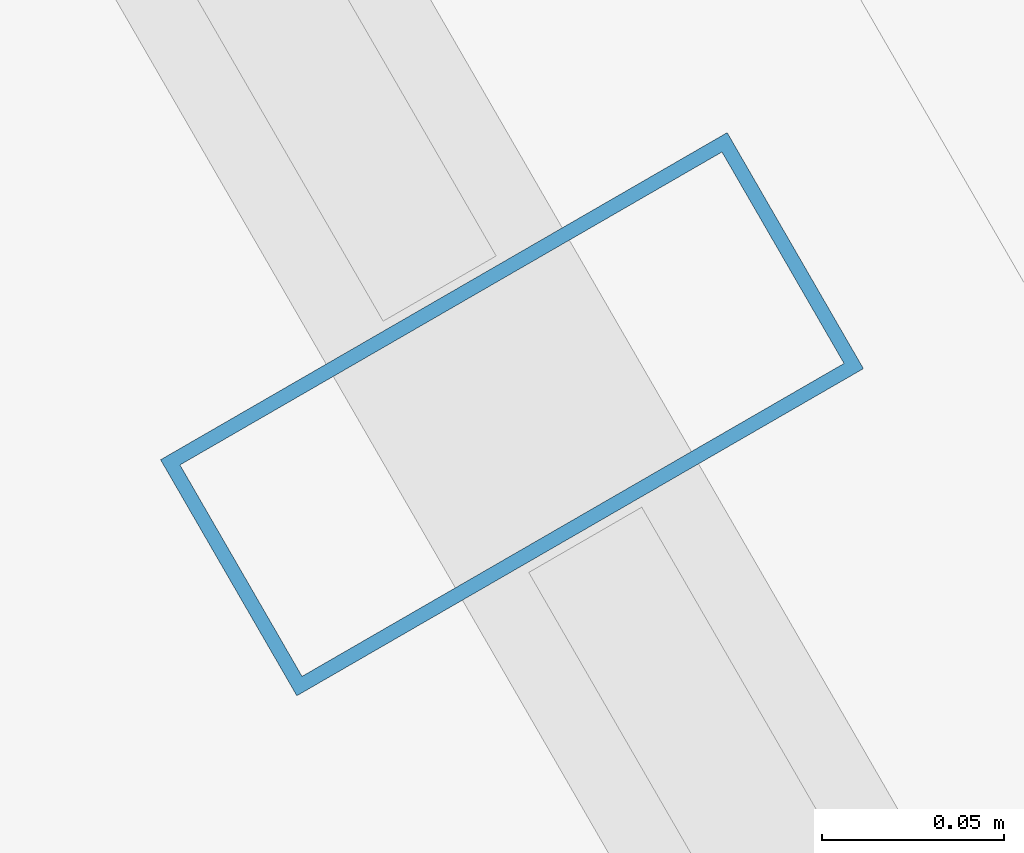
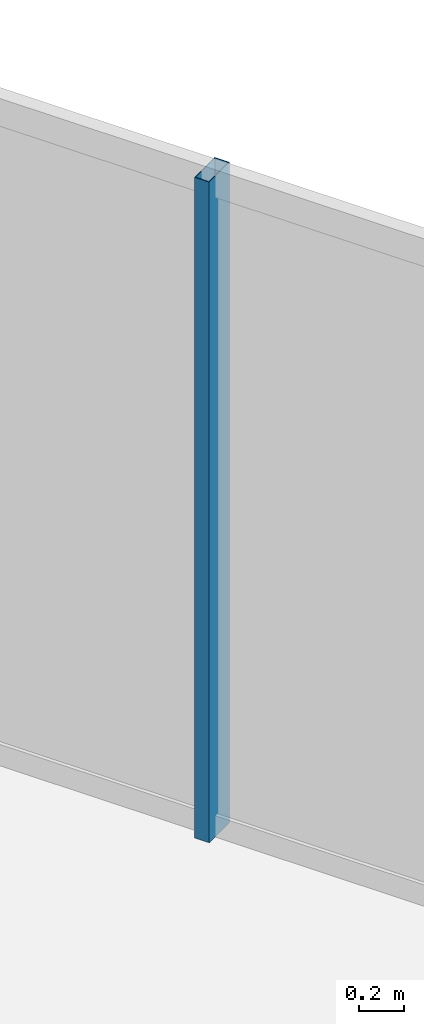
# One storey, part 22 of 32: 1 member, 1 element without a shape of its own.
"""IFC4 building model written with IfcOpenShell, lengths in metres."""

from ifc_helpers import new_model, si_unit, direction, frame, origin, origin_2d, place, context, subcontext, project, spatial, hollow_rectangle, extrude, material, layer, layer_set, material_profile, profile_set, type_object, element, aggregate, save


model = new_model("IFC4")

# Units and contexts
model_context = context("Model", 3, precision=1e-05, world=origin(), true_north=direction((0.0, 1.0)))
body_context = subcontext(model_context, "Body", "Model", "MODEL_VIEW")
ifc_project = project(units=[si_unit("LENGTHUNIT", "METRE"), si_unit("AREAUNIT", "SQUARE_METRE"), si_unit("VOLUMEUNIT", "CUBIC_METRE"), si_unit("PLANEANGLEUNIT", "RADIAN"), si_unit("MASSUNIT", "GRAM", prefix="KILO")], contexts=[model_context])

# Site, building, storey
site_placement = place(None, origin())
site = spatial("IfcSite", under=ifc_project, at=site_placement, CompositionType="ELEMENT")
building_placement = place(site_placement, origin())
building = spatial("IfcBuilding", under=site, at=building_placement, Name="Ndaravel Arena Tower", CompositionType="ELEMENT")
storey_placement = place(building_placement, frame((0.0, 0.0, 252.199951171875)))
storey = spatial("IfcBuildingStorey", under=building, at=storey_placement, Name="L61", CompositionType="ELEMENT", Elevation=252.199951171875)

# Curtain wall, member
ifc_material_1 = material(Name="Aluminium", Category="aluminium")
ifc_layer = layer(ifc_material_1, 0.179931640625)
ifc_layer_set = layer_set([ifc_layer], Name="Aluminium")
curtain_wall_type = type_object("IfcCurtainWallType", Name="CW-SYS-03", PredefinedType="NOTDEFINED", material=ifc_layer_set)
curtain_wall_placement = place(storey_placement, origin())
curtain_wall = element("IfcCurtainWall", 1, at=curtain_wall_placement, inside=storey, type_object=curtain_wall_type, Name="L61 Faceted Crystal Curtain Wall CW-L61-E03", PredefinedType="NOTDEFINED")
ifc_material_2 = material(Name="Aluminium", Category="aluminium")
ifc_material_profile = material_profile(ifc_material_2, hollow_rectangle(XDim=0.074951171875, YDim=0.179931640625, WallThickness=0.00390625, at=origin_2d()), Name="CW MULLION 75x180x4")
ifc_profile_set = profile_set([ifc_material_profile], Name="Aluminium")
member_type = type_object("IfcMemberType", Name="MEM-CW-MUL180", PredefinedType="MULLION", material=ifc_profile_set)
member_placement = place(storey_placement, frame((58.215576171875, 21.81298828125, 0.0), z_axis=(0.0, 0.0, 1.0), x_axis=(-0.5, 0.866025403784, 0.0)))
member = element("IfcMember", 2, at=member_placement, type_object=member_type, Name="CW-L61-E03 Mullion 03", PredefinedType="MULLION", context=body_context, shape_type="SweptSolid", body=[
    extrude(hollow_rectangle(XDim=0.074951171875, YDim=0.179931640625, WallThickness=0.00390625, at=origin_2d()), origin(), (0.0, 0.0, 1.0), 3.580078125),
])
aggregate(curtain_wall, [member])

save(model, "model.ifc")
